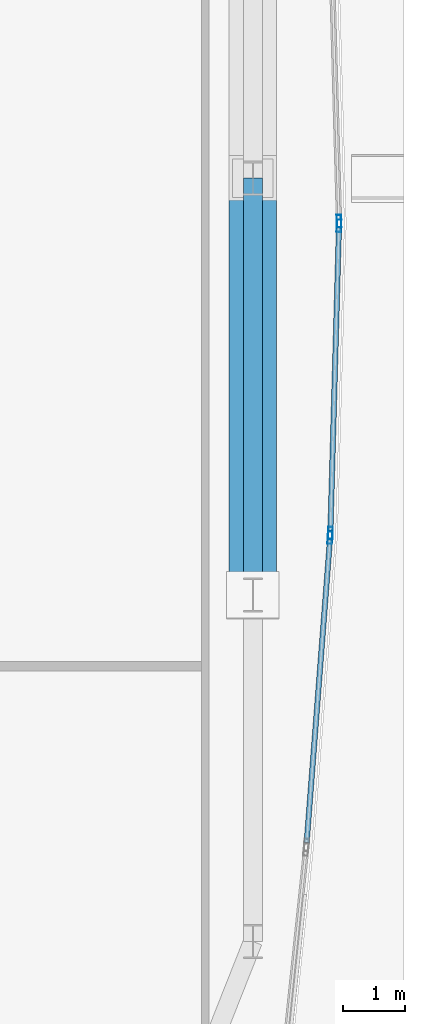
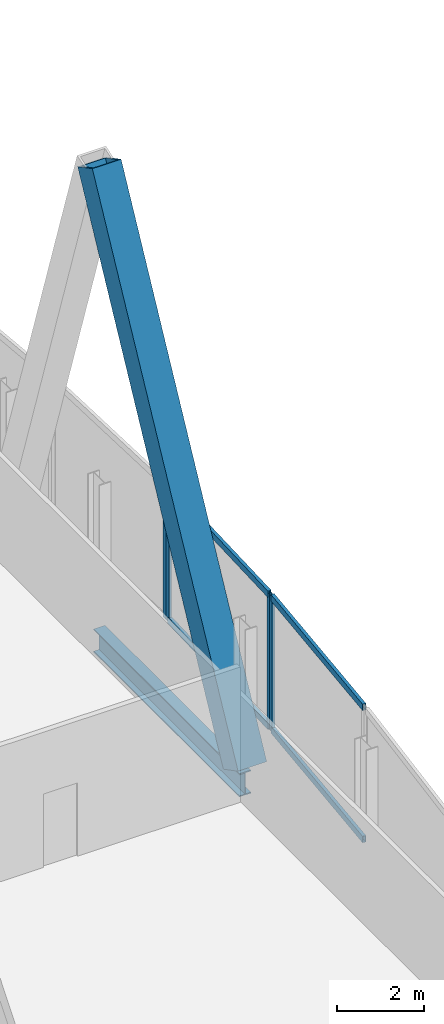
# One storey, part 21 of 32: 9 members, 1 beam, 3 elements without a shape of their own.
"""IFC4 building model written with IfcOpenShell, lengths in metres."""

from ifc_helpers import new_model, si_unit, direction, frame, origin, origin_2d, place, context, subcontext, project, spatial, hollow_rectangle, i_section, extrude, material, material_profile, profile_set, type_object, element, aggregate, save


model = new_model("IFC4")

# Units and contexts
model_context = context("Model", 3, precision=1e-05, world=origin(), true_north=direction((0.0, 1.0)))
body_context = subcontext(model_context, "Body", "Model", "MODEL_VIEW")
ifc_project = project(units=[si_unit("LENGTHUNIT", "METRE"), si_unit("AREAUNIT", "SQUARE_METRE"), si_unit("VOLUMEUNIT", "CUBIC_METRE"), si_unit("PLANEANGLEUNIT", "RADIAN"), si_unit("MASSUNIT", "GRAM", prefix="KILO")], contexts=[model_context])

# Site, building, storey
site_placement = place(None, origin())
site = spatial("IfcSite", under=ifc_project, at=site_placement, CompositionType="ELEMENT")
building_placement = place(site_placement, origin())
building = spatial("IfcBuilding", under=site, at=building_placement, Name="Khoronbel Lancet Exchange", CompositionType="ELEMENT")
storey_placement = place(building_placement, frame((0.0, 0.0, 81.800048828125)))
storey = spatial("IfcBuildingStorey", under=building, at=storey_placement, Name="L19", CompositionType="ELEMENT", Elevation=81.800048828125)

# Beam
ifc_material_1 = material(Name="Steel S355", Category="steel")
ifc_material_profile_1 = material_profile(ifc_material_1, i_section(OverallWidth=0.300048828125, OverallDepth=0.64990234375, WebThickness=0.01611328125, FlangeThickness=0.031005859375, at=origin_2d()), Name="HEB 650")
ifc_profile_set_1 = profile_set([ifc_material_profile_1], Name="Steel S355")
beam_type = type_object("IfcBeamType", Name="BM-BSP1", PredefinedType="SPANDREL", material=ifc_profile_set_1)
beam_placement = place(storey_placement, frame((69.6298828125, 24.75, -0.505126953125), z_axis=(0.0, 1.0, 0.0), x_axis=(-1.0, 0.0, 0.0)))
element("IfcBeam", 1, at=beam_placement, inside=storey, type_object=beam_type, Name="Level L19 perimeter spandrel beam SP10", PredefinedType="SPANDREL", context=body_context, shape_type="SweptSolid", body=[
    extrude(i_section(OverallWidth=0.300048828125, OverallDepth=0.64990234375, WebThickness=0.01611328125, FlangeThickness=0.031005859375, at=origin_2d()), origin(), (0.0, 0.0, 1.0), 6.675048828125),
])

# Curtain wall, member
ifc_material_2 = material(Name="Low-E Solar Control Insulating Glass", Category="glass")
curtain_wall_type = type_object("IfcCurtainWallType", Name="CW-4", PredefinedType="NOTDEFINED", material=ifc_material_2)
curtain_wall_1_placement = place(storey_placement, origin())
curtain_wall_1 = element("IfcCurtainWall", 2, at=curtain_wall_1_placement, inside=storey, type_object=curtain_wall_type, Name="Unitised curtain wall CW-L19-E19", PredefinedType="NOTDEFINED")
ifc_material_3 = material(Name="Bronze-Anodised Aluminium 6063-T6", Category="aluminium")
ifc_material_profile_2 = material_profile(ifc_material_3, hollow_rectangle(XDim=0.074951171875, YDim=0.199951171875, WallThickness=0.0048828125, at=origin_2d()), Name="ALU MULLION 75x200")
ifc_profile_set_2 = profile_set([ifc_material_profile_2], Name="Bronze-Anodised Aluminium 6063-T6")
member_type_1 = type_object("IfcMemberType", Name="MEM-CWM2", PredefinedType="MULLION", material=ifc_profile_set_2)
member_1_placement = place(storey_placement, frame((71.009033203125, 30.737548828125, 0.0), z_axis=(0.0, 0.0, 1.0), x_axis=(0.999604123662, 0.028135315146, 0.0)))
member_1 = element("IfcMember", 3, at=member_1_placement, type_object=member_type_1, Name="CW4 mullion 2", PredefinedType="MULLION", context=body_context, shape_type="SweptSolid", body=[
    extrude(hollow_rectangle(XDim=0.074951171875, YDim=0.199951171875, WallThickness=0.0048828125, at=origin_2d()), origin(), (0.0, 0.0, 1.0), 3.780029296875),
])
aggregate(curtain_wall_1, [member_1])

# Curtain wall, members
curtain_wall_2_placement = place(storey_placement, origin())
curtain_wall_2 = element("IfcCurtainWall", 4, at=curtain_wall_2_placement, inside=storey, type_object=curtain_wall_type, Name="Unitised curtain wall CW-L19-E20", PredefinedType="NOTDEFINED")
member_2_placement = place(storey_placement, frame((71.009033203125, 30.66259765625, 0.0), z_axis=(0.0, 0.0, 1.0), x_axis=(0.999604123662, -0.028135315146, 0.0)))
member_2 = element("IfcMember", 5, at=member_2_placement, type_object=member_type_1, Name="CW4 mullion 1", PredefinedType="MULLION", context=body_context, shape_type="SweptSolid", body=[
    extrude(hollow_rectangle(XDim=0.074951171875, YDim=0.199951171875, WallThickness=0.0048828125, at=origin_2d()), origin(), (0.0, 0.0, 1.0), 3.780029296875),
])
member_3_placement = place(storey_placement, frame((70.870361328125, 25.7421875, 0.0), z_axis=(0.0, 0.0, 1.0), x_axis=(0.999604123662, -0.028135315146, 0.0)))
member_3 = element("IfcMember", 6, at=member_3_placement, type_object=member_type_1, Name="CW4 mullion 2", PredefinedType="MULLION", context=body_context, shape_type="SweptSolid", body=[
    extrude(hollow_rectangle(XDim=0.074951171875, YDim=0.199951171875, WallThickness=0.0048828125, at=origin_2d()), origin(), (0.0, 0.0, 1.0), 3.780029296875),
])

# Curtain wall, member
curtain_wall_3_placement = place(storey_placement, origin())
curtain_wall_3 = element("IfcCurtainWall", 7, at=curtain_wall_3_placement, inside=storey, type_object=curtain_wall_type, Name="Unitised curtain wall CW-L19-E21", PredefinedType="NOTDEFINED")
member_4_placement = place(storey_placement, frame((70.866455078125, 25.667236328125, 0.0), z_axis=(0.0, 0.0, 1.0), x_axis=(0.997059882555, -0.076626304874, 0.0)))
member_4 = element("IfcMember", 8, at=member_4_placement, type_object=member_type_1, Name="CW4 mullion 1", PredefinedType="MULLION", context=body_context, shape_type="SweptSolid", body=[
    extrude(hollow_rectangle(XDim=0.074951171875, YDim=0.199951171875, WallThickness=0.0048828125, at=origin_2d()), origin(), (0.0, 0.0, 1.0), 3.780029296875),
])

# Member
ifc_material_profile_3 = material_profile(ifc_material_3, hollow_rectangle(XDim=0.0849609375, YDim=0.179931640625, WallThickness=0.0048828125, at=origin_2d()), Name="ALU TRANSOM 85x180")
ifc_profile_set_3 = profile_set([ifc_material_profile_3], Name="Bronze-Anodised Aluminium 6063-T6")
member_type_2 = type_object("IfcMemberType", Name="MEM-CWT1", PredefinedType="USERDEFINED", material=ifc_profile_set_3)
member_5_placement = place(storey_placement, frame((71.0078125, 30.625, 0.04248046875), z_axis=(-0.028105390041, -0.999604965499, 0.0), x_axis=(0.999604965499, -0.028105390041, 0.0)))
member_5 = element("IfcMember", 9, at=member_5_placement, type_object=member_type_2, Name="CW4 transom 1.1", ObjectType="TRANSOM", PredefinedType="USERDEFINED", context=body_context, shape_type="SweptSolid", body=[
    extrude(hollow_rectangle(XDim=0.0849609375, YDim=0.179931640625, WallThickness=0.0048828125, at=origin_2d()), origin(), (0.0, 0.0, 1.0), 4.84716796875),
])

member_6_placement = place(storey_placement, frame((71.0078125, 30.625, 3.737548828125), z_axis=(-0.028105390041, -0.999604965499, 0.0), x_axis=(0.999604965499, -0.028105390041, 0.0)))
member_6 = element("IfcMember", 10, at=member_6_placement, type_object=member_type_2, Name="CW4 transom 1.2", ObjectType="TRANSOM", PredefinedType="USERDEFINED", context=body_context, shape_type="SweptSolid", body=[
    extrude(hollow_rectangle(XDim=0.0849609375, YDim=0.179931640625, WallThickness=0.0048828125, at=origin_2d()), origin(), (0.0, 0.0, 1.0), 4.84716796875),
])

aggregate(curtain_wall_2, [member_2, member_3, member_5, member_6])

member_7_placement = place(storey_placement, frame((70.86376953125, 25.6298828125, 0.04248046875), z_axis=(-0.076638891079, -0.997058915197, 0.0), x_axis=(0.997058915197, -0.076638891079, 0.0)))
member_7 = element("IfcMember", 11, at=member_7_placement, type_object=member_type_2, Name="CW4 transom 1.1", ObjectType="TRANSOM", PredefinedType="USERDEFINED", context=body_context, shape_type="SweptSolid", body=[
    extrude(hollow_rectangle(XDim=0.0849609375, YDim=0.179931640625, WallThickness=0.0048828125, at=origin_2d()), origin(), (0.0, 0.0, 1.0), 4.861328125),
])

member_8_placement = place(storey_placement, frame((70.86376953125, 25.6298828125, 3.737548828125), z_axis=(-0.076638891079, -0.997058915197, 0.0), x_axis=(0.997058915197, -0.076638891079, 0.0)))
member_8 = element("IfcMember", 12, at=member_8_placement, type_object=member_type_2, Name="CW4 transom 1.2", ObjectType="TRANSOM", PredefinedType="USERDEFINED", context=body_context, shape_type="SweptSolid", body=[
    extrude(hollow_rectangle(XDim=0.0849609375, YDim=0.179931640625, WallThickness=0.0048828125, at=origin_2d()), origin(), (0.0, 0.0, 1.0), 4.861328125),
])

aggregate(curtain_wall_3, [member_4, member_7, member_8])

ifc_material_4 = material(Name="Steel S460", Category="steel")
ifc_material_profile_4 = material_profile(ifc_material_4, hollow_rectangle(XDim=0.760009765625, YDim=0.760009765625, WallThickness=0.054931640625, at=origin_2d()), Name="BOX 760x760x55")
ifc_profile_set_4 = profile_set([ifc_material_profile_4], Name="Steel S460")
member_type_3 = type_object("IfcMemberType", Name="MEM-MB1", PredefinedType="BRACE", material=ifc_profile_set_4)
member_9_placement = place(storey_placement, frame((69.6298828125, 24.75, 0.0), z_axis=(0.0, 0.462389716195, 0.886676801522), x_axis=(-1.0, 0.0, 0.0)))
element("IfcMember", 13, at=member_9_placement, inside=storey, type_object=member_type_3, Name="Perimeter lancet brace tier 6 E-P-L", PredefinedType="BRACE", context=body_context, shape_type="SweptSolid", body=[
    extrude(hollow_rectangle(XDim=0.760009765625, YDim=0.760009765625, WallThickness=0.054931640625, at=origin_2d()), origin(), (0.0, 0.0, 1.0), 14.43603515625),
])

save(model, "model.ifc")
